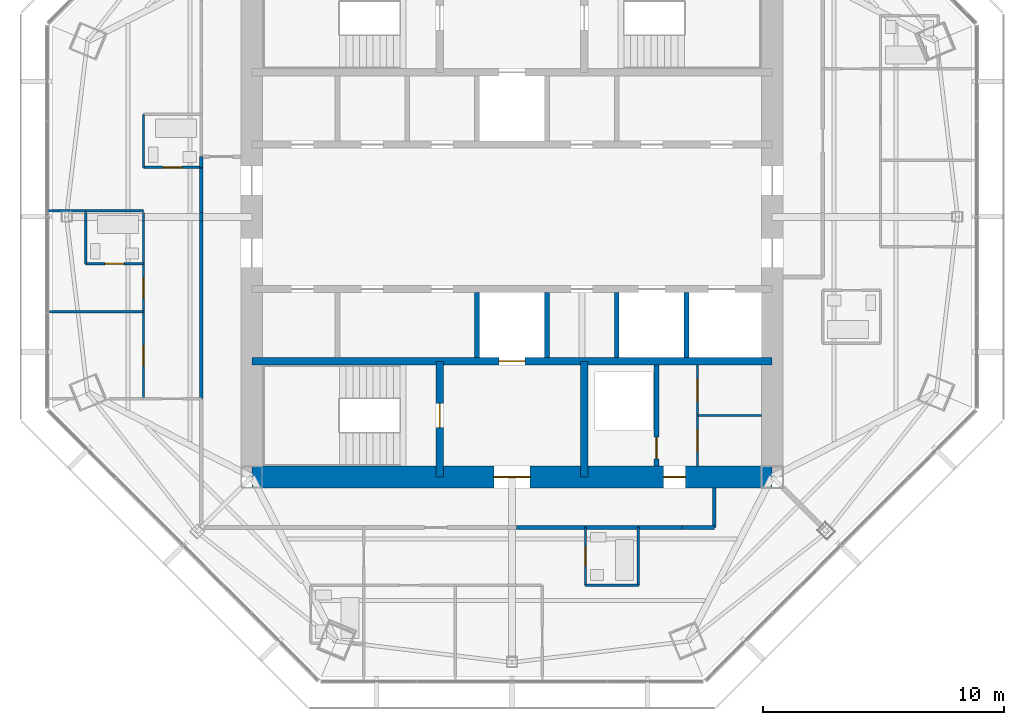
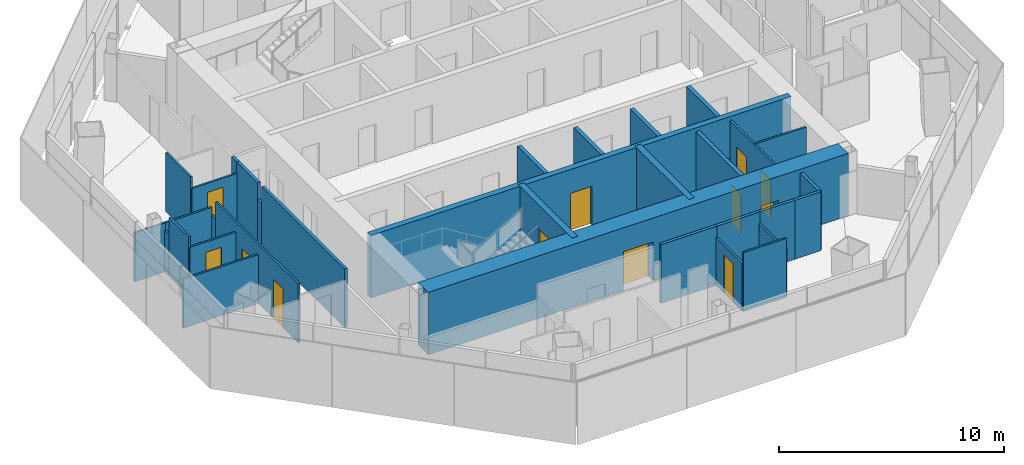
# One storey, part 9 of 15: 33 walls, 12 doors, 12 openings.
"""IFC4 building model written with IfcOpenShell, lengths in metres."""

from ifc_helpers import new_model, si_unit, direction, frame, frame_2d, origin, place, context, subcontext, project, spatial, rectangle, extrude, material, layer, layer_set, type_object, element, fill, save


model = new_model("IFC4")

# Units and contexts
model_context = context("Model", 3, precision=1e-05, world=origin(), true_north=direction((0.0, 1.0)))
body_context = subcontext(model_context, "Body", "Model", "MODEL_VIEW")
ifc_project = project(units=[si_unit("LENGTHUNIT", "METRE"), si_unit("AREAUNIT", "SQUARE_METRE"), si_unit("VOLUMEUNIT", "CUBIC_METRE"), si_unit("PLANEANGLEUNIT", "RADIAN"), si_unit("MASSUNIT", "GRAM", prefix="KILO")], contexts=[model_context])

# Site, building, storey
site_placement = place(None, origin())
site = spatial("IfcSite", under=ifc_project, at=site_placement, CompositionType="ELEMENT")
building_placement = place(site_placement, origin())
building = spatial("IfcBuilding", under=site, at=building_placement, Name="Mashrafa Tower", CompositionType="ELEMENT")
storey_placement = place(building_placement, frame((0.0, 0.0, 308.199951171875)))
storey = spatial("IfcBuildingStorey", under=building, at=storey_placement, Name="L76", CompositionType="ELEMENT", Elevation=308.199951171875)

# Wall, opening, door
ifc_material_1 = material(Name="Concrete masonry unit", Category="masonry")
ifc_layer_1 = layer(ifc_material_1, 0.199951171875)
ifc_layer_set_1 = layer_set([ifc_layer_1], Name="Blockwork wall 200 2 hr")
wall_type_1 = type_object("IfcWallType", Name="Blockwork wall 200 2 hr", PredefinedType="PARTITIONING", material=ifc_layer_set_1)
wall_1_placement = place(storey_placement, frame((6.0, -10.35009765625, 0.0), z_axis=(0.0, 0.0, 1.0), x_axis=(0.0, 1.0, 0.0)))
wall_1 = element("IfcWall", 1, at=wall_1_placement, inside=storey, type_object=wall_type_1, Name="Riser enclosure wall L76", PredefinedType="PARTITIONING", context=body_context, shape_type="SweptSolid", body=[
    extrude(rectangle(XDim=4.2001953125, YDim=0.199951171875, at=frame_2d((2.10009765625, 0.0))), origin(), (0.0, 0.0, 1.0), 3.199951171875),
])
opening_1_placement = place(wall_1_placement, frame((0.300048828125, 0.0, 0.0)))
opening_1 = element("IfcOpeningElement", 2, at=opening_1_placement, cuts=wall_1, Name="Opening 76.037", PredefinedType="OPENING", context=body_context, shape_type="SweptSolid", body=[
    extrude(rectangle(XDim=0.89990234375, YDim=2.10009765625, at=frame_2d((0.449951171875, 1.050048828125))), frame((0.0, 0.10986328125, 0.0), z_axis=(0.0, -1.0, 0.0), x_axis=(1.0, 0.0, 0.0)), (0.0, 0.0, 1.0), 0.219970703125),
])
ifc_material_2 = material(Name="Steel door", Category="steel")
door_type_1 = type_object("IfcDoorType", Name="Service door 900 x 2100 90 min", OperationType="USERDEFINED", PredefinedType="DOOR", material=ifc_material_2)
door_1_placement = place(opening_1_placement, origin())
door_1 = element("IfcDoor", 3, at=door_1_placement, inside=storey, type_object=door_type_1, Name="Riser door L76", OperationType="SINGLE_SWING_LEFT", OverallHeight=2.10009765625, OverallWidth=0.89990234375, PredefinedType="DOOR", context=body_context, shape_type="SweptSolid", body=[
    extrude(rectangle(XDim=0.89990234375, YDim=2.10009765625, at=frame_2d((0.449951171875, 1.050048828125))), frame((0.0, 0.02490234375, 0.0), z_axis=(0.0, -1.0, 0.0), x_axis=(1.0, 0.0, 0.0)), (0.0, 0.0, 1.0), 0.050048828125),
])
fill(opening_1, door_1)

ifc_material_3 = material(Name="Concrete C50/60", Category="concrete")
ifc_layer_2 = layer(ifc_material_3, 0.300048828125)
ifc_layer_set_2 = layer_set([ifc_layer_2], Name="Core wall 300 C50/60")
wall_type_2 = type_object("IfcWallType", Name="Core wall 300 C50/60", PredefinedType="SOLIDWALL", material=ifc_layer_set_2)
wall_2_placement = place(storey_placement, frame((-10.800048828125, -6.0, 0.0), z_axis=(0.0, 0.0, 1.0), x_axis=(1.0, 0.0, 0.0)))
wall_2 = element("IfcWall", 4, at=wall_2_placement, inside=storey, type_object=wall_type_2, Name="Core wall CB-S L76", PredefinedType="SOLIDWALL", context=body_context, shape_type="SweptSolid", body=[
    extrude(rectangle(XDim=21.60009765625, YDim=0.300048828125, at=frame_2d((10.800048828125, 0.0))), origin(), (0.0, 0.0, 1.0), 3.400146484375),
])
opening_2_placement = place(wall_2_placement, frame((10.25, 0.0, 0.0)))
opening_2 = element("IfcOpeningElement", 5, at=opening_2_placement, cuts=wall_2, Name="Opening 76.F2", PredefinedType="OPENING", context=body_context, shape_type="SweptSolid", body=[
    extrude(rectangle(XDim=1.10009765625, YDim=2.10009765625, at=frame_2d((0.550048828125, 1.050048828125))), frame((0.0, 0.159912109375, 0.0), z_axis=(0.0, -1.0, 0.0), x_axis=(1.0, 0.0, 0.0)), (0.0, 0.0, 1.0), 0.320068359375),
])
ifc_material_4 = material(Name="Steel door", Category="steel")
door_type_2 = type_object("IfcDoorType", Name="Lift landing door 1100 x 2100 90 min", OperationType="DOUBLE_DOOR_SLIDING", PredefinedType="DOOR", material=ifc_material_4)
door_2_placement = place(opening_2_placement, origin())
door_2 = element("IfcDoor", 6, at=door_2_placement, inside=storey, type_object=door_type_2, Name="Lift landing door F2 L76", OperationType="DOUBLE_DOOR_SLIDING", OverallHeight=2.10009765625, OverallWidth=1.10009765625, PredefinedType="DOOR", context=body_context, shape_type="SweptSolid", body=[
    extrude(rectangle(XDim=1.10009765625, YDim=2.10009765625, at=frame_2d((0.550048828125, 1.050048828125))), frame((0.0, 0.02490234375, 0.0), z_axis=(0.0, -1.0, 0.0), x_axis=(1.0, 0.0, 0.0)), (0.0, 0.0, 1.0), 0.050048828125),
])
fill(opening_2, door_2)

wall_3_placement = place(storey_placement, frame((-3.0, -6.0, 0.0), z_axis=(0.0, 0.0, 1.0), x_axis=(0.0, -1.0, 0.0)))
wall_3 = element("IfcWall", 7, at=wall_3_placement, inside=storey, type_object=wall_type_2, Name="Core wall CX-SW L76", PredefinedType="SOLIDWALL", context=body_context, shape_type="SweptSolid", body=[
    extrude(rectangle(XDim=4.800048828125, YDim=0.300048828125, at=frame_2d((2.39990234375, 0.0))), origin(), (0.0, 0.0, 1.0), 3.400146484375),
])
opening_3_placement = place(wall_3_placement, frame((1.75, 0.0, 0.0)))
opening_3 = element("IfcOpeningElement", 8, at=opening_3_placement, cuts=wall_3, Name="Opening 76.035", PredefinedType="OPENING", context=body_context, shape_type="SweptSolid", body=[
    extrude(rectangle(XDim=1.0, YDim=2.10009765625, at=frame_2d((0.5, 1.050048828125))), frame((0.0, 0.159912109375, 0.0), z_axis=(0.0, -1.0, 0.0), x_axis=(1.0, 0.0, 0.0)), (0.0, 0.0, 1.0), 0.320068359375),
])
ifc_material_5 = material(Name="Steel door", Category="steel")
door_type_3 = type_object("IfcDoorType", Name="Stair door 1000 x 2100 90 min", OperationType="USERDEFINED", PredefinedType="DOOR", material=ifc_material_5)
door_3_placement = place(opening_3_placement, frame((1.0, 0.0, 0.0), z_axis=(0.0, 0.0, 1.0), x_axis=(-1.0, 0.0, 0.0)))
door_3 = element("IfcDoor", 9, at=door_3_placement, inside=storey, type_object=door_type_3, Name="Stair S3 door L76", OperationType="SINGLE_SWING_RIGHT", OverallHeight=2.10009765625, OverallWidth=1.0, PredefinedType="DOOR", context=body_context, shape_type="SweptSolid", body=[
    extrude(rectangle(XDim=1.0, YDim=2.10009765625, at=frame_2d((0.5, 1.050048828125))), frame((0.0, 0.02490234375, 0.0), z_axis=(0.0, -1.0, 0.0), x_axis=(1.0, 0.0, 0.0)), (0.0, 0.0, 1.0), 0.050048828125),
])
fill(opening_3, door_3)

# Wall
wall_4_placement = place(storey_placement, frame((3.0, -6.0, 0.0), z_axis=(0.0, 0.0, 1.0), x_axis=(0.0, -1.0, 0.0)))
element("IfcWall", 10, at=wall_4_placement, inside=storey, type_object=wall_type_2, Name="Core wall CX-SE L76", PredefinedType="SOLIDWALL", context=body_context, shape_type="SweptSolid", body=[
    extrude(rectangle(XDim=4.800048828125, YDim=0.300048828125, at=frame_2d((2.39990234375, 0.0))), origin(), (0.0, 0.0, 1.0), 3.400146484375),
])

# Wall, openings, doors
ifc_material_6 = material(Name="Concrete C50/60", Category="concrete")
ifc_layer_3 = layer(ifc_material_6, 0.89990234375)
ifc_layer_set_3 = layer_set([ifc_layer_3], Name="Core wall 900 C50/60")
wall_type_3 = type_object("IfcWallType", Name="Core wall 900 C50/60", PredefinedType="SOLIDWALL", material=ifc_layer_set_3)
wall_5_placement = place(storey_placement, frame((-10.800048828125, -10.800048828125, 0.0), z_axis=(0.0, 0.0, 1.0), x_axis=(1.0, 0.0, 0.0)))
wall_5 = element("IfcWall", 11, at=wall_5_placement, inside=storey, type_object=wall_type_3, Name="Core wall CW-S L76", PredefinedType="SOLIDWALL", context=body_context, shape_type="SweptSolid", body=[
    extrude(rectangle(XDim=21.60009765625, YDim=0.89990234375, at=frame_2d((10.800048828125, 0.0))), origin(), (0.0, 0.0, 1.0), 3.400146484375),
])
opening_4_placement = place(wall_5_placement, frame((10.050048828125, 0.0, 0.0)))
opening_4 = element("IfcOpeningElement", 12, at=opening_4_placement, cuts=wall_5, Name="Opening 76.032", PredefinedType="OPENING", context=body_context, shape_type="SweptSolid", body=[
    extrude(rectangle(XDim=1.5, YDim=2.10009765625, at=frame_2d((0.75, 1.050048828125))), frame((0.0, 0.4599609375, 0.0), z_axis=(0.0, -1.0, 0.0), x_axis=(1.0, 0.0, 0.0)), (0.0, 0.0, 1.0), 0.919921875),
])
opening_5_placement = place(wall_5_placement, frame((17.10009765625, 0.0, 0.0)))
opening_5 = element("IfcOpeningElement", 13, at=opening_5_placement, cuts=wall_5, Name="Opening 76.036", PredefinedType="OPENING", context=body_context, shape_type="SweptSolid", body=[
    extrude(rectangle(XDim=0.89990234375, YDim=2.10009765625, at=frame_2d((0.449951171875, 1.050048828125))), frame((0.0, 0.4599609375, 0.0), z_axis=(0.0, -1.0, 0.0), x_axis=(1.0, 0.0, 0.0)), (0.0, 0.0, 1.0), 0.919921875),
])
ifc_material_7 = material(Name="Steel door", Category="steel")
door_type_4 = type_object("IfcDoorType", Name="Lobby door pair 1500 x 2100 90 min", OperationType="DOUBLE_DOOR_SINGLE_SWING", PredefinedType="DOOR", material=ifc_material_7)
door_4_placement = place(opening_4_placement, origin())
door_4 = element("IfcDoor", 14, at=door_4_placement, inside=storey, type_object=door_type_4, Name="Fire-fighting lobby F2 door L76", OperationType="DOUBLE_DOOR_SINGLE_SWING", OverallHeight=2.10009765625, OverallWidth=1.5, PredefinedType="DOOR", context=body_context, shape_type="SweptSolid", body=[
    extrude(rectangle(XDim=1.5, YDim=2.10009765625, at=frame_2d((0.75, 1.050048828125))), frame((0.0, 0.02490234375, 0.0), z_axis=(0.0, -1.0, 0.0), x_axis=(1.0, 0.0, 0.0)), (0.0, 0.0, 1.0), 0.050048828125),
])
fill(opening_4, door_4)
door_5_placement = place(opening_5_placement, frame((0.89990234375, 0.0, 0.0), z_axis=(0.0, 0.0, 1.0), x_axis=(-1.0, 0.0, 0.0)))
door_5 = element("IfcDoor", 15, at=door_5_placement, inside=storey, type_object=door_type_1, Name="Services Lobby L76 door", OperationType="SINGLE_SWING_LEFT", OverallHeight=2.10009765625, OverallWidth=0.89990234375, PredefinedType="DOOR", context=body_context, shape_type="SweptSolid", body=[
    extrude(rectangle(XDim=0.89990234375, YDim=2.10009765625, at=frame_2d((0.449951171875, 1.050048828125))), frame((0.0, 0.02490234375, 0.0), z_axis=(0.0, -1.0, 0.0), x_axis=(1.0, 0.0, 0.0)), (0.0, 0.0, 1.0), 0.050048828125),
])
fill(opening_5, door_5)

# Walls
ifc_material_8 = material(Name="Gypsum board on steel studs", Category="steel")
ifc_layer_4 = layer(ifc_material_8, 0.14990234375)
ifc_layer_set_4 = layer_set([ifc_layer_4], Name="Corridor partition 150 1 hr")
wall_type_4 = type_object("IfcWallType", Name="Corridor partition 150 1 hr", PredefinedType="PARTITIONING", material=ifc_layer_set_4)
wall_6_placement = place(storey_placement, frame((-12.89990234375, 2.5, 0.0), z_axis=(0.0, 0.0, 1.0), x_axis=(0.0, -1.0, 0.0)))
element("IfcWall", 16, at=wall_6_placement, inside=storey, type_object=wall_type_4, Name="Corridor wall L76-011", PredefinedType="PARTITIONING", context=body_context, shape_type="SweptSolid", body=[
    extrude(rectangle(XDim=0.450927734375, YDim=0.14990234375, at=frame_2d((0.2255859375, 0.0))), origin(), (0.0, 0.0, 1.0), 3.199951171875),
])
wall_7_placement = place(storey_placement, frame((-12.89990234375, 2.051025390625, 0.0), z_axis=(0.0, 0.0, 1.0), x_axis=(0.0, -1.0, 0.0)))
element("IfcWall", 17, at=wall_7_placement, inside=storey, type_object=wall_type_4, Name="Corridor wall L76-013", PredefinedType="PARTITIONING", context=body_context, shape_type="SweptSolid", body=[
    extrude(rectangle(XDim=1.86865234375, YDim=0.14990234375, at=frame_2d((0.934326171875, 0.0))), origin(), (0.0, 0.0, 1.0), 3.199951171875),
])
wall_8_placement = place(storey_placement, frame((-12.89990234375, -0.182373046875, 0.0), z_axis=(0.0, 0.0, 1.0), x_axis=(0.0, -1.0, 0.0)))
element("IfcWall", 18, at=wall_8_placement, inside=storey, type_object=wall_type_4, Name="Corridor wall L76-014", PredefinedType="PARTITIONING", context=body_context, shape_type="SweptSolid", body=[
    extrude(rectangle(XDim=7.36865234375, YDim=0.14990234375, at=frame_2d((3.684326171875, 0.0))), origin(), (0.0, 0.0, 1.0), 3.199951171875),
])
wall_9_placement = place(storey_placement, frame((-12.89990234375, 0.182373046875, 0.0), z_axis=(0.0, 0.0, 1.0), x_axis=(0.0, -1.0, 0.0)))
element("IfcWall", 19, at=wall_9_placement, inside=storey, type_object=wall_type_4, Name="Corridor wall L76-015", PredefinedType="PARTITIONING", context=body_context, shape_type="SweptSolid", body=[
    extrude(rectangle(XDim=0.36474609375, YDim=0.14990234375, at=frame_2d((0.182373046875, 0.0))), origin(), (0.0, 0.0, 1.0), 2.26806640625),
])
wall_10_placement = place(storey_placement, frame((5.2490234375, -12.89990234375, 0.0), z_axis=(0.0, 0.0, 1.0), x_axis=(1.0, 0.0, 0.0)))
element("IfcWall", 20, at=wall_10_placement, inside=storey, type_object=wall_type_4, Name="Corridor wall L76-016", PredefinedType="PARTITIONING", context=body_context, shape_type="SweptSolid", body=[
    extrude(rectangle(XDim=1.802001953125, YDim=0.14990234375, at=frame_2d((0.90087890625, 0.0))), origin(), (0.0, 0.0, 1.0), 3.199951171875),
])
wall_11_placement = place(storey_placement, frame((3.049072265625, -12.89990234375, 0.0), z_axis=(0.0, 0.0, 1.0), x_axis=(1.0, 0.0, 0.0)))
element("IfcWall", 21, at=wall_11_placement, inside=storey, type_object=wall_type_4, Name="Corridor wall L76-017", PredefinedType="PARTITIONING", context=body_context, shape_type="SweptSolid", body=[
    extrude(rectangle(XDim=2.201904296875, YDim=0.14990234375, at=frame_2d((1.10107421875, 0.0))), origin(), (0.0, 0.0, 1.0), 3.199951171875),
])
wall_12_placement = place(storey_placement, frame((0.182373046875, -12.89990234375, 0.0), z_axis=(0.0, 0.0, 1.0), x_axis=(1.0, 0.0, 0.0)))
element("IfcWall", 22, at=wall_12_placement, inside=storey, type_object=wall_type_4, Name="Corridor wall L76-020", PredefinedType="PARTITIONING", context=body_context, shape_type="SweptSolid", body=[
    extrude(rectangle(XDim=2.86865234375, YDim=0.14990234375, at=frame_2d((1.434326171875, 0.0))), origin(), (0.0, 0.0, 1.0), 3.199951171875),
])
wall_13_placement = place(storey_placement, frame((7.049072265625, -12.89990234375, 0.0), z_axis=(0.0, 0.0, 1.0), x_axis=(1.0, 0.0, 0.0)))
element("IfcWall", 23, at=wall_13_placement, inside=storey, type_object=wall_type_4, Name="Corridor wall L76-022", PredefinedType="PARTITIONING", context=body_context, shape_type="SweptSolid", body=[
    extrude(rectangle(XDim=1.350830078125, YDim=0.14990234375, at=frame_2d((0.67529296875, 0.0))), origin(), (0.0, 0.0, 1.0), 3.199951171875),
])
wall_14_placement = place(storey_placement, frame((8.39990234375, -12.89990234375, 0.0), z_axis=(0.0, 0.0, 1.0), x_axis=(0.0, 1.0, 0.0)))
element("IfcWall", 24, at=wall_14_placement, inside=storey, type_object=wall_type_4, Name="Corridor wall L76-023", PredefinedType="PARTITIONING", context=body_context, shape_type="SweptSolid", body=[
    extrude(rectangle(XDim=1.64990234375, YDim=0.14990234375, at=frame_2d((0.824951171875, 0.0))), origin(), (0.0, 0.0, 1.0), 3.199951171875),
])
ifc_material_9 = material(Name="Gypsum board on steel studs", Category="steel")
ifc_layer_5 = layer(ifc_material_9, 0.10009765625)
ifc_layer_set_5 = layer_set([ifc_layer_5], Name="Partition 100")
wall_type_5 = type_object("IfcWallType", Name="Partition 100", PredefinedType="PARTITIONING", material=ifc_layer_set_5)
wall_15_placement = place(storey_placement, frame((-15.300048828125, 4.25, 0.0), z_axis=(0.0, 0.0, 1.0), x_axis=(0.0, -1.0, 0.0)))
element("IfcWall", 25, at=wall_15_placement, inside=storey, type_object=wall_type_5, Name="Partition wall L76-068", PredefinedType="PARTITIONING", context=body_context, shape_type="SweptSolid", body=[
    extrude(rectangle(XDim=2.199951171875, YDim=0.10009765625, at=frame_2d((1.10009765625, 0.0))), origin(), (0.0, 0.0, 1.0), 3.199951171875),
])

# Wall, opening, door
wall_16_placement = place(storey_placement, frame((-15.300048828125, 2.050048828125, 0.0), z_axis=(0.0, 0.0, 1.0), x_axis=(1.0, 0.0, 0.0)))
wall_16 = element("IfcWall", 26, at=wall_16_placement, inside=storey, type_object=wall_type_5, Name="Partition wall L76-069", PredefinedType="PARTITIONING", context=body_context, shape_type="SweptSolid", body=[
    extrude(rectangle(XDim=2.400146484375, YDim=0.10009765625, at=frame_2d((1.2001953125, 0.0))), origin(), (0.0, 0.0, 1.0), 2.588134765625),
])
opening_6_placement = place(wall_16_placement, frame((0.800048828125, 0.0, 0.0)))
opening_6 = element("IfcOpeningElement", 27, at=opening_6_placement, cuts=wall_16, Name="Opening 76.014", PredefinedType="OPENING", context=body_context, shape_type="SweptSolid", body=[
    extrude(rectangle(XDim=0.800048828125, YDim=2.10009765625, at=frame_2d((0.39990234375, 1.050048828125))), frame((0.0, 0.06005859375, 0.0), z_axis=(0.0, -1.0, 0.0), x_axis=(1.0, 0.0, 0.0)), (0.0, 0.0, 1.0), 0.1201171875),
])
ifc_material_10 = material(Name="Timber door", Category="wood")
door_type_5 = type_object("IfcDoorType", Name="Bathroom door 800 x 2100", OperationType="USERDEFINED", PredefinedType="DOOR", material=ifc_material_10)
door_6_placement = place(opening_6_placement, origin())
door_6 = element("IfcDoor", 28, at=door_6_placement, inside=storey, type_object=door_type_5, Name="Apartment 7603 Bathroom door", OperationType="SINGLE_SWING_RIGHT", OverallHeight=2.10009765625, OverallWidth=0.800048828125, PredefinedType="DOOR", context=body_context, shape_type="SweptSolid", body=[
    extrude(rectangle(XDim=0.800048828125, YDim=2.10009765625, at=frame_2d((0.39990234375, 1.050048828125))), frame((0.0, 0.02490234375, 0.0), z_axis=(0.0, -1.0, 0.0), x_axis=(1.0, 0.0, 0.0)), (0.0, 0.0, 1.0), 0.050048828125),
])
fill(opening_6, door_6)

# Walls
wall_17_placement = place(storey_placement, frame((-17.699951171875, -0.182373046875, 0.0), z_axis=(0.0, 0.0, 1.0), x_axis=(0.0, -1.0, 0.0)))
element("IfcWall", 29, at=wall_17_placement, inside=storey, type_object=wall_type_5, Name="Partition wall L76-071", PredefinedType="PARTITIONING", context=body_context, shape_type="SweptSolid", body=[
    extrude(rectangle(XDim=1.767578125, YDim=0.10009765625, at=frame_2d((0.8837890625, 0.0))), origin(), (0.0, 0.0, 1.0), 3.199951171875),
])
wall_18_placement = place(storey_placement, frame((-17.699951171875, 0.182373046875, 0.0), z_axis=(0.0, 0.0, 1.0), x_axis=(0.0, -1.0, 0.0)))
element("IfcWall", 30, at=wall_18_placement, inside=storey, type_object=wall_type_5, Name="Partition wall L76-072", PredefinedType="PARTITIONING", context=body_context, shape_type="SweptSolid", body=[
    extrude(rectangle(XDim=0.36474609375, YDim=0.10009765625, at=frame_2d((0.182373046875, 0.0))), origin(), (0.0, 0.0, 1.0), 2.26806640625),
])

# Wall, opening, door
wall_19_placement = place(storey_placement, frame((-17.699951171875, -1.949951171875, 0.0), z_axis=(0.0, 0.0, 1.0), x_axis=(1.0, 0.0, 0.0)))
wall_19 = element("IfcWall", 31, at=wall_19_placement, inside=storey, type_object=wall_type_5, Name="Partition wall L76-073", PredefinedType="PARTITIONING", context=body_context, shape_type="SweptSolid", body=[
    extrude(rectangle(XDim=2.39990234375, YDim=0.10009765625, at=frame_2d((1.199951171875, 0.0))), origin(), (0.0, 0.0, 1.0), 2.65673828125),
])
opening_7_placement = place(wall_19_placement, frame((0.800048828125, 0.0, 0.0)))
opening_7 = element("IfcOpeningElement", 32, at=opening_7_placement, cuts=wall_19, Name="Opening 76.015", PredefinedType="OPENING", context=body_context, shape_type="SweptSolid", body=[
    extrude(rectangle(XDim=0.800048828125, YDim=2.10009765625, at=frame_2d((0.39990234375, 1.050048828125))), frame((0.0, 0.06005859375, 0.0), z_axis=(0.0, -1.0, 0.0), x_axis=(1.0, 0.0, 0.0)), (0.0, 0.0, 1.0), 0.1201171875),
])
door_7_placement = place(opening_7_placement, origin())
door_7 = element("IfcDoor", 33, at=door_7_placement, inside=storey, type_object=door_type_5, Name="Apartment 7603 En-suite Bathroom door", OperationType="SINGLE_SWING_RIGHT", OverallHeight=2.10009765625, OverallWidth=0.800048828125, PredefinedType="DOOR", context=body_context, shape_type="SweptSolid", body=[
    extrude(rectangle(XDim=0.800048828125, YDim=2.10009765625, at=frame_2d((0.39990234375, 1.050048828125))), frame((0.0, 0.02490234375, 0.0), z_axis=(0.0, -1.0, 0.0), x_axis=(1.0, 0.0, 0.0)), (0.0, 0.0, 1.0), 0.050048828125),
])
fill(opening_7, door_7)

# Wall, openings, doors
wall_20_placement = place(storey_placement, frame((-15.300048828125, -0.182373046875, 0.0), z_axis=(0.0, 0.0, 1.0), x_axis=(0.0, -1.0, 0.0)))
wall_20 = element("IfcWall", 34, at=wall_20_placement, inside=storey, type_object=wall_type_5, Name="Partition wall L76-074", PredefinedType="PARTITIONING", context=body_context, shape_type="SweptSolid", body=[
    extrude(rectangle(XDim=7.36767578125, YDim=0.10009765625, at=frame_2d((3.683837890625, 0.0))), origin(), (0.0, 0.0, 1.0), 3.199951171875),
])
opening_8_placement = place(wall_20_placement, frame((2.342529296875, 0.0, 0.0)))
opening_8 = element("IfcOpeningElement", 35, at=opening_8_placement, cuts=wall_20, Name="Opening 76.016", PredefinedType="OPENING", context=body_context, shape_type="SweptSolid", body=[
    extrude(rectangle(XDim=0.85009765625, YDim=2.10009765625, at=frame_2d((0.425048828125, 1.050048828125))), frame((0.0, 0.06005859375, 0.0), z_axis=(0.0, -1.0, 0.0), x_axis=(1.0, 0.0, 0.0)), (0.0, 0.0, 1.0), 0.1201171875),
])
opening_9_placement = place(wall_20_placement, frame((5.142578125, 0.0, 0.0)))
opening_9 = element("IfcOpeningElement", 36, at=opening_9_placement, cuts=wall_20, Name="Opening 76.017", PredefinedType="OPENING", context=body_context, shape_type="SweptSolid", body=[
    extrude(rectangle(XDim=0.85009765625, YDim=2.10009765625, at=frame_2d((0.425048828125, 1.050048828125))), frame((0.0, 0.06005859375, 0.0), z_axis=(0.0, -1.0, 0.0), x_axis=(1.0, 0.0, 0.0)), (0.0, 0.0, 1.0), 0.1201171875),
])
ifc_material_11 = material(Name="Timber door", Category="wood")
door_type_6 = type_object("IfcDoorType", Name="Bedroom door 850 x 2100", OperationType="USERDEFINED", PredefinedType="DOOR", material=ifc_material_11)
door_8_placement = place(opening_8_placement, frame((0.85009765625, 0.0, 0.0), z_axis=(0.0, 0.0, 1.0), x_axis=(-1.0, 0.0, 0.0)))
door_8 = element("IfcDoor", 37, at=door_8_placement, inside=storey, type_object=door_type_6, Name="Apartment 7603 Bedroom 1 door", OperationType="SINGLE_SWING_LEFT", OverallHeight=2.10009765625, OverallWidth=0.85009765625, PredefinedType="DOOR", context=body_context, shape_type="SweptSolid", body=[
    extrude(rectangle(XDim=0.85009765625, YDim=2.10009765625, at=frame_2d((0.425048828125, 1.050048828125))), frame((0.0, 0.02490234375, 0.0), z_axis=(0.0, -1.0, 0.0), x_axis=(1.0, 0.0, 0.0)), (0.0, 0.0, 1.0), 0.050048828125),
])
fill(opening_8, door_8)
door_9_placement = place(opening_9_placement, frame((0.85009765625, 0.0, 0.0), z_axis=(0.0, 0.0, 1.0), x_axis=(-1.0, 0.0, 0.0)))
door_9 = element("IfcDoor", 38, at=door_9_placement, inside=storey, type_object=door_type_6, Name="Apartment 7603 Bedroom 2 door", OperationType="SINGLE_SWING_RIGHT", OverallHeight=2.10009765625, OverallWidth=0.85009765625, PredefinedType="DOOR", context=body_context, shape_type="SweptSolid", body=[
    extrude(rectangle(XDim=0.85009765625, YDim=2.10009765625, at=frame_2d((0.425048828125, 1.050048828125))), frame((0.0, 0.02490234375, 0.0), z_axis=(0.0, -1.0, 0.0), x_axis=(1.0, 0.0, 0.0)), (0.0, 0.0, 1.0), 0.050048828125),
])
fill(opening_9, door_9)

# Walls
wall_21_placement = place(storey_placement, frame((-15.300048828125, -0.182373046875, 0.0), z_axis=(0.0, 0.0, 1.0), x_axis=(0.0, 1.0, 0.0)))
element("IfcWall", 39, at=wall_21_placement, inside=storey, type_object=wall_type_5, Name="Partition wall L76-075", PredefinedType="PARTITIONING", context=body_context, shape_type="SweptSolid", body=[
    extrude(rectangle(XDim=0.36474609375, YDim=0.10009765625, at=frame_2d((0.182373046875, 0.0))), origin(), (0.0, 0.0, 1.0), 2.26806640625),
])
wall_22_placement = place(storey_placement, frame((-15.300048828125, 0.25, 0.0), z_axis=(0.0, 0.0, 1.0), x_axis=(-1.0, 0.0, 0.0)))
element("IfcWall", 40, at=wall_22_placement, inside=storey, type_object=wall_type_5, Name="Partition wall L76-076", PredefinedType="PARTITIONING", context=body_context, shape_type="SweptSolid", body=[
    extrude(rectangle(XDim=2.39990234375, YDim=0.10009765625, at=frame_2d((1.199951171875, 0.0))), origin(), (0.0, 0.0, 1.0), 2.65673828125),
])
wall_23_placement = place(storey_placement, frame((-19.211181640625, -3.949951171875, 0.0), z_axis=(0.0, 0.0, 1.0), x_axis=(1.0, 0.0, 0.0)))
element("IfcWall", 41, at=wall_23_placement, inside=storey, type_object=wall_type_5, Name="Partition wall L76-077", PredefinedType="PARTITIONING", context=body_context, shape_type="SweptSolid", body=[
    extrude(rectangle(XDim=3.9111328125, YDim=0.10009765625, at=frame_2d((1.95556640625, 0.0))), origin(), (0.0, 0.0, 1.0), 2.65673828125),
])
wall_24_placement = place(storey_placement, frame((-17.699951171875, 0.25, 0.0), z_axis=(0.0, 0.0, 1.0), x_axis=(-1.0, 0.0, 0.0)))
element("IfcWall", 42, at=wall_24_placement, inside=storey, type_object=wall_type_5, Name="Partition wall L76-078", PredefinedType="PARTITIONING", context=body_context, shape_type="SweptSolid", body=[
    extrude(rectangle(XDim=1.578369140625, YDim=0.10009765625, at=frame_2d((0.7890625, 0.0))), origin(), (0.0, 0.0, 1.0), 2.664306640625),
])
wall_25_placement = place(storey_placement, frame((5.25, -12.89990234375, 0.0), z_axis=(0.0, 0.0, 1.0), x_axis=(0.0, -1.0, 0.0)))
element("IfcWall", 43, at=wall_25_placement, inside=storey, type_object=wall_type_5, Name="Partition wall L76-085", PredefinedType="PARTITIONING", context=body_context, shape_type="SweptSolid", body=[
    extrude(rectangle(XDim=2.400146484375, YDim=0.10009765625, at=frame_2d((1.2001953125, 0.0))), origin(), (0.0, 0.0, 1.0), 2.588134765625),
])

# Wall, opening, door
wall_26_placement = place(storey_placement, frame((3.050048828125, -12.89990234375, 0.0), z_axis=(0.0, 0.0, 1.0), x_axis=(0.0, -1.0, 0.0)))
wall_26 = element("IfcWall", 44, at=wall_26_placement, inside=storey, type_object=wall_type_5, Name="Partition wall L76-086", PredefinedType="PARTITIONING", context=body_context, shape_type="SweptSolid", body=[
    extrude(rectangle(XDim=2.400146484375, YDim=0.10009765625, at=frame_2d((1.2001953125, 0.0))), origin(), (0.0, 0.0, 1.0), 2.588134765625),
])
opening_10_placement = place(wall_26_placement, frame((0.800048828125, 0.0, 0.0)))
opening_10 = element("IfcOpeningElement", 45, at=opening_10_placement, cuts=wall_26, Name="Opening 76.020", PredefinedType="OPENING", context=body_context, shape_type="SweptSolid", body=[
    extrude(rectangle(XDim=0.800048828125, YDim=2.10009765625, at=frame_2d((0.39990234375, 1.050048828125))), frame((0.0, 0.06005859375, 0.0), z_axis=(0.0, -1.0, 0.0), x_axis=(1.0, 0.0, 0.0)), (0.0, 0.0, 1.0), 0.1201171875),
])
door_10_placement = place(opening_10_placement, origin())
door_10 = element("IfcDoor", 46, at=door_10_placement, inside=storey, type_object=door_type_5, Name="Apartment 7604 Bathroom door", OperationType="SINGLE_SWING_LEFT", OverallHeight=2.10009765625, OverallWidth=0.800048828125, PredefinedType="DOOR", context=body_context, shape_type="SweptSolid", body=[
    extrude(rectangle(XDim=0.800048828125, YDim=2.10009765625, at=frame_2d((0.39990234375, 1.050048828125))), frame((0.0, 0.02490234375, 0.0), z_axis=(0.0, -1.0, 0.0), x_axis=(1.0, 0.0, 0.0)), (0.0, 0.0, 1.0), 0.050048828125),
])
fill(opening_10, door_10)

# Wall
wall_27_placement = place(storey_placement, frame((3.050048828125, -15.300048828125, 0.0), z_axis=(0.0, 0.0, 1.0), x_axis=(1.0, 0.0, 0.0)))
element("IfcWall", 47, at=wall_27_placement, inside=storey, type_object=wall_type_5, Name="Partition wall L76-087", PredefinedType="PARTITIONING", context=body_context, shape_type="SweptSolid", body=[
    extrude(rectangle(XDim=2.199951171875, YDim=0.10009765625, at=frame_2d((1.10009765625, 0.0))), origin(), (0.0, 0.0, 1.0), 3.199951171875),
])

# Wall, openings, doors
ifc_material_12 = material(Name="Gypsum board on steel studs", Category="steel")
ifc_layer_6 = layer(ifc_material_12, 0.10009765625)
ifc_layer_set_6 = layer_set([ifc_layer_6], Name="Partition 100 1 hr")
wall_type_6 = type_object("IfcWallType", Name="Partition 100 1 hr", PredefinedType="PARTITIONING", material=ifc_layer_set_6)
wall_28_placement = place(storey_placement, frame((7.699951171875, -10.35009765625, 0.0), z_axis=(0.0, 0.0, 1.0), x_axis=(0.0, 1.0, 0.0)))
wall_28 = element("IfcWall", 48, at=wall_28_placement, inside=storey, type_object=wall_type_6, Name="Services lobby partition A L76", PredefinedType="PARTITIONING", context=body_context, shape_type="SweptSolid", body=[
    extrude(rectangle(XDim=4.2001953125, YDim=0.10009765625, at=frame_2d((2.10009765625, 0.0))), origin(), (0.0, 0.0, 1.0), 3.199951171875),
])
opening_11_placement = place(wall_28_placement, frame((2.699951171875, 0.0, 0.0)))
opening_11 = element("IfcOpeningElement", 49, at=opening_11_placement, cuts=wall_28, Name="Opening 76.038", PredefinedType="OPENING", context=body_context, shape_type="SweptSolid", body=[
    extrude(rectangle(XDim=0.89990234375, YDim=2.10009765625, at=frame_2d((0.449951171875, 1.050048828125))), frame((0.0, 0.06005859375, 0.0), z_axis=(0.0, -1.0, 0.0), x_axis=(1.0, 0.0, 0.0)), (0.0, 0.0, 1.0), 0.1201171875),
])
opening_12_placement = place(wall_28_placement, frame((0.60009765625, 0.0, 0.0)))
opening_12 = element("IfcOpeningElement", 50, at=opening_12_placement, cuts=wall_28, Name="Opening 76.039", PredefinedType="OPENING", context=body_context, shape_type="SweptSolid", body=[
    extrude(rectangle(XDim=0.89990234375, YDim=2.10009765625, at=frame_2d((0.449951171875, 1.050048828125))), frame((0.0, 0.06005859375, 0.0), z_axis=(0.0, -1.0, 0.0), x_axis=(1.0, 0.0, 0.0)), (0.0, 0.0, 1.0), 0.1201171875),
])
ifc_material_13 = material(Name="Timber door", Category="wood")
door_type_7 = type_object("IfcDoorType", Name="Store door 900 x 2100", OperationType="USERDEFINED", PredefinedType="DOOR", material=ifc_material_13)
door_11_placement = place(opening_11_placement, frame((0.89990234375, 0.0, 0.0), z_axis=(0.0, 0.0, 1.0), x_axis=(-1.0, 0.0, 0.0)))
door_11 = element("IfcDoor", 51, at=door_11_placement, inside=storey, type_object=door_type_7, Name="Communications Room L76 door", OperationType="SINGLE_SWING_RIGHT", OverallHeight=2.10009765625, OverallWidth=0.89990234375, PredefinedType="DOOR", context=body_context, shape_type="SweptSolid", body=[
    extrude(rectangle(XDim=0.89990234375, YDim=2.10009765625, at=frame_2d((0.449951171875, 1.050048828125))), frame((0.0, 0.02490234375, 0.0), z_axis=(0.0, -1.0, 0.0), x_axis=(1.0, 0.0, 0.0)), (0.0, 0.0, 1.0), 0.050048828125),
])
fill(opening_11, door_11)
door_12_placement = place(opening_12_placement, frame((0.89990234375, 0.0, 0.0), z_axis=(0.0, 0.0, 1.0), x_axis=(-1.0, 0.0, 0.0)))
door_12 = element("IfcDoor", 52, at=door_12_placement, inside=storey, type_object=door_type_7, Name="Building Services Store L76 door", OperationType="SINGLE_SWING_LEFT", OverallHeight=2.10009765625, OverallWidth=0.89990234375, PredefinedType="DOOR", context=body_context, shape_type="SweptSolid", body=[
    extrude(rectangle(XDim=0.89990234375, YDim=2.10009765625, at=frame_2d((0.449951171875, 1.050048828125))), frame((0.0, 0.02490234375, 0.0), z_axis=(0.0, -1.0, 0.0), x_axis=(1.0, 0.0, 0.0)), (0.0, 0.0, 1.0), 0.050048828125),
])
fill(opening_12, door_12)

# Walls
wall_29_placement = place(storey_placement, frame((7.699951171875, -8.25, 0.0), z_axis=(0.0, 0.0, 1.0), x_axis=(1.0, 0.0, 0.0)))
element("IfcWall", 53, at=wall_29_placement, inside=storey, type_object=wall_type_6, Name="Services lobby partition B L76", PredefinedType="PARTITIONING", context=body_context, shape_type="SweptSolid", body=[
    extrude(rectangle(XDim=2.650146484375, YDim=0.10009765625, at=frame_2d((1.3251953125, 0.0))), origin(), (0.0, 0.0, 1.0), 3.199951171875),
])
ifc_material_14 = material(Name="Gypsum shaft wall on steel studs", Category="steel")
ifc_layer_7 = layer(ifc_material_14, 0.199951171875)
ifc_layer_set_7 = layer_set([ifc_layer_7], Name="Shaft divider wall 200 2 hr")
wall_type_7 = type_object("IfcWallType", Name="Shaft divider wall 200 2 hr", PredefinedType="PARTITIONING", material=ifc_layer_set_7)
for number, where, z_axis, x_axis, name in (
    (54, (-1.449951171875, -5.85009765625, 0.0), (0.0, 0.0, 1.0), (0.0, 1.0, 0.0), "Shaft divider wall S3 L76"),
    (55, (1.449951171875, -5.85009765625, 0.0), (0.0, 0.0, 1.0), (0.0, 1.0, 0.0), "Shaft divider wall S4 L76"),
    (56, (4.35009765625, -5.85009765625, 0.0), (0.0, 0.0, 1.0), (0.0, 1.0, 0.0), "Shaft divider wall S5 L76"),
):
    element("IfcWall", number, at=place(storey_placement, frame(where, z_axis=z_axis, x_axis=x_axis)), inside=storey, type_object=wall_type_7, Name=name, PredefinedType="PARTITIONING", context=body_context, shape_type="SweptSolid", body=[
        extrude(rectangle(XDim=2.7001953125, YDim=0.199951171875, at=frame_2d((1.35009765625, 0.0))), origin(), (0.0, 0.0, 1.0), 3.199951171875),
    ])
wall_30_placement = place(storey_placement, frame((7.25, -5.85009765625, 0.0), z_axis=(0.0, 0.0, 1.0), x_axis=(0.0, 1.0, 0.0)))
element("IfcWall", 57, at=wall_30_placement, inside=storey, type_object=wall_type_7, Name="Shaft divider wall S6 L76", PredefinedType="PARTITIONING", context=body_context, shape_type="SweptSolid", body=[
    extrude(rectangle(XDim=2.7001953125, YDim=0.199951171875, at=frame_2d((1.35009765625, 0.0))), origin(), (0.0, 0.0, 1.0), 3.400146484375),
])

save(model, "model.ifc")
